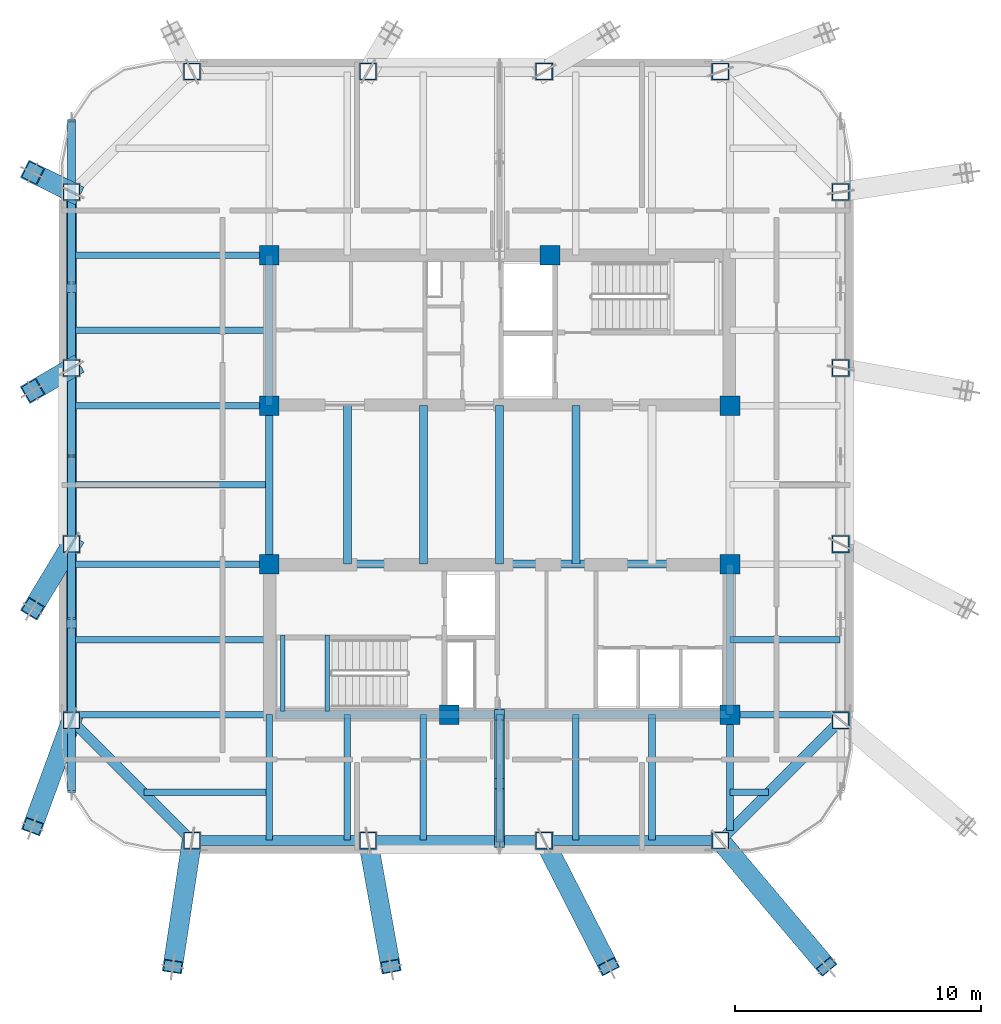
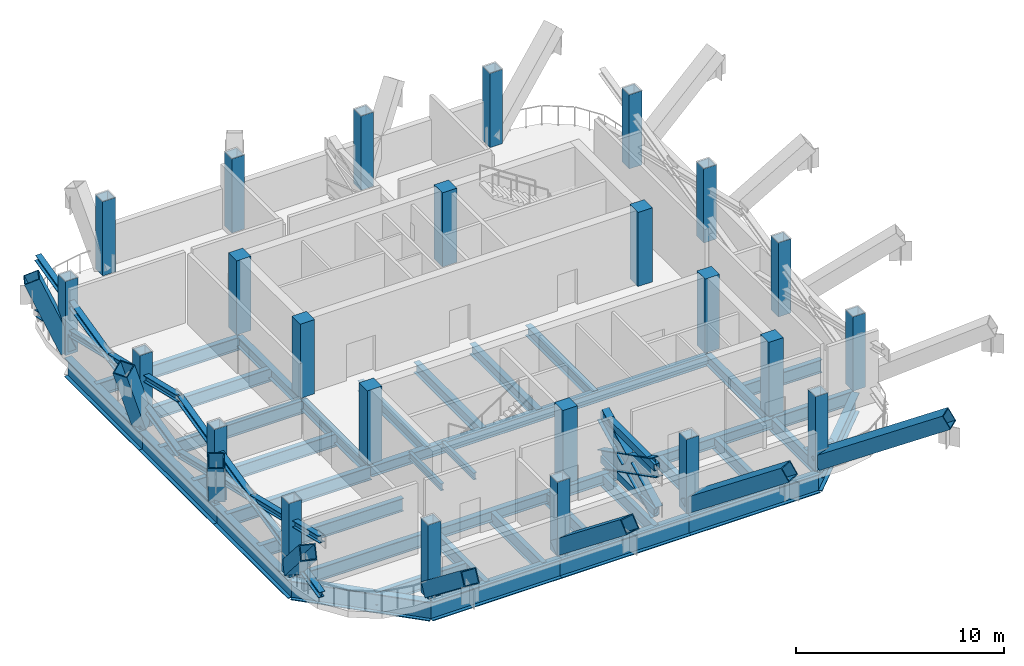
# One storey, part 1 of 9: 37 beams, 24 columns, 19 members.
"""IFC4 building model written with IfcOpenShell, lengths in metres."""

import ifcopenshell
import ifcopenshell.guid

model = None  # the IFC model being written
_history = None  # IfcOwnerHistory: only IFC2X3 demands one
_inside = {}  # id of a spatial element -> (the spatial element, [elements in it])
_under = {}  # id of a project, library or spatial element -> (it, [spatial elements below it])
_declared = {}  # id of a project -> (the project, [libraries it declares])
_typed = {}  # id of a type object -> (the type object, [elements of that type])
_made_of = {}  # id of a material, layer set ... -> (it, [elements and type objects made of it])


def new_model(schema):
    """Start an empty IFC model of exactly this schema.

    Asked for "IFC4X3", IfcOpenShell would pick the latest addendum, in which some entities
    have other attributes; the version numbers below select the first issue.
    IFC2X3 requires an IfcOwnerHistory on every rooted entity: one is made here for all.
    """
    global model, _history
    if schema == "IFC4X3":
        model = ifcopenshell.file(schema_version=(4, 3, 0, 0))
    else:
        model = ifcopenshell.file(schema=schema)
    _inside.clear()
    _under.clear()
    _declared.clear()
    _typed.clear()
    _made_of.clear()
    _history = None
    if model.schema == "IFC2X3":
        org = make("IfcOrganization", Name="unknown")
        user = make(
            "IfcPersonAndOrganization",
            ThePerson=make("IfcPerson", FamilyName="unknown"),
            TheOrganization=org,
        )
        app = make(
            "IfcApplication",
            ApplicationDeveloper=org,
            Version="unknown",
            ApplicationFullName="unknown",
            ApplicationIdentifier="unknown",
        )
        _history = make(
            "IfcOwnerHistory",
            OwningUser=user,
            OwningApplication=app,
            ChangeAction="ADDED",
            CreationDate=0,
        )
    return model


def make(cls, **values):
    """One entity of the class cls with the attributes given. An attribute that is None is left unset."""
    return model.create_entity(
        cls, **{name: value for name, value in values.items() if value is not None}
    )


def rooted(cls, **values):
    """An entity with a GlobalId (a new one), such as an element, a storey or a relation."""
    return make(cls, GlobalId=ifcopenshell.guid.new(), OwnerHistory=_history, **values)


def si_unit(unit_type, name, prefix=None):
    """IfcSIUnit, for example si_unit("LENGTHUNIT", "METRE", prefix="MILLI")."""
    return make("IfcSIUnit", UnitType=unit_type, Prefix=prefix, Name=name)


def assignment(units):
    """IfcUnitAssignment: the units of a project."""
    return None if units is None else make("IfcUnitAssignment", Units=units)


def point(xyz):
    """IfcCartesianPoint."""
    return None if xyz is None else make("IfcCartesianPoint", Coordinates=xyz)


def direction(xyz):
    """IfcDirection."""
    return None if xyz is None else make("IfcDirection", DirectionRatios=xyz)


def frame(location, z_axis=None, x_axis=None):
    """IfcAxis2Placement3D, a coordinate frame: its origin and axes. An axis left out is left unset."""
    return make(
        "IfcAxis2Placement3D",
        Location=point(location),
        Axis=direction(z_axis),
        RefDirection=direction(x_axis),
    )


def frame_2d(location, x_axis=None):
    """IfcAxis2Placement2D, a coordinate frame in the plane: its origin and x axis."""
    return make(
        "IfcAxis2Placement2D", Location=point(location), RefDirection=direction(x_axis)
    )


def origin():
    """The frame at (0, 0, 0) with its axes left unset."""
    return frame((0.0, 0.0, 0.0))


def origin_2d():
    """The frame at (0, 0) in the plane with its x axis left unset."""
    return frame_2d((0.0, 0.0))


def place(relative_to, where):
    """IfcLocalPlacement: puts the frame where relative to a parent placement (None: the world)."""
    return make(
        "IfcLocalPlacement", PlacementRelTo=relative_to, RelativePlacement=where
    )


def context(
    kind, dimensions, precision=None, world=None, true_north=None, identifier=None
):
    """IfcGeometricRepresentationContext, for example the 3D "Model" context."""
    return make(
        "IfcGeometricRepresentationContext",
        ContextIdentifier=identifier,
        ContextType=kind,
        CoordinateSpaceDimension=dimensions,
        Precision=precision,
        WorldCoordinateSystem=world,
        TrueNorth=true_north,
    )


def subcontext(parent, identifier, kind, view, scale=None):
    """IfcGeometricRepresentationSubContext, for example "Body" below "Model"."""
    return make(
        "IfcGeometricRepresentationSubContext",
        ContextIdentifier=identifier,
        ContextType=kind,
        ParentContext=parent,
        TargetScale=scale,
        TargetView=view,
    )


def project(units=None, contexts=None):
    """IfcProject with its units and contexts."""
    return rooted(
        "IfcProject",
        Name="project",
        RepresentationContexts=contexts,
        UnitsInContext=assignment(units),
    )


def spatial(cls, under=None, at=None, **own):
    """A site, building, storey or space (cls), placed at a placement, below another one or the project."""
    s = rooted(cls, ObjectPlacement=at, **own)
    if under is not None:
        _under.setdefault(under.id(), (under, []))[1].append(s)
    return s


def profile(cls, at=None, kind="AREA", **sizes):
    """A parametric profile (cls). Its sizes go by their IFC names, for example OverallWidth=200.0."""
    return make(cls, ProfileType=kind, Position=at, **sizes)


def rectangle(**sizes):
    """IfcRectangleProfileDef."""
    return profile("IfcRectangleProfileDef", **sizes)


def hollow_rectangle(**sizes):
    """IfcRectangleHollowProfileDef."""
    return profile("IfcRectangleHollowProfileDef", **sizes)


def i_section(**sizes):
    """IfcIShapeProfileDef."""
    return profile("IfcIShapeProfileDef", **sizes)


def extrude(swept, where, along, depth):
    """IfcExtrudedAreaSolid: the profile swept, set in the frame where, extruded along a direction by depth."""
    return make(
        "IfcExtrudedAreaSolid",
        SweptArea=swept,
        Position=where,
        ExtrudedDirection=direction(along),
        Depth=depth,
    )


def shape(context_of_items, identifier, shape_type, items):
    """IfcShapeRepresentation: the items that make up one representation, for example the "Body"."""
    return make(
        "IfcShapeRepresentation",
        ContextOfItems=context_of_items,
        RepresentationIdentifier=identifier,
        RepresentationType=shape_type,
        Items=items,
    )


def material(Name=None, Category=None):
    """IfcMaterial."""
    return make("IfcMaterial", Name=Name, Category=Category)


def material_profile(
    of_material, cross_section, Name=None, Category=None, Priority=None
):
    """IfcMaterialProfile: a cross section and its material."""
    return make(
        "IfcMaterialProfile",
        Name=Name,
        Material=of_material,
        Profile=cross_section,
        Priority=Priority,
        Category=Category,
    )


def profile_set(profiles, Name=None, composite=None):
    """IfcMaterialProfileSet."""
    return make(
        "IfcMaterialProfileSet",
        Name=Name,
        MaterialProfiles=profiles,
        CompositeProfile=composite,
    )


def made_of(thing, what):
    """Note that an element or type object is made of a material, layer set ...; save() writes the relation."""
    if what is not None:
        _made_of.setdefault(what.id(), (what, []))[1].append(thing)
    return thing


def type_object(cls, material=None, **own):
    """A type object (cls), such as IfcWallType, which elements share."""
    return made_of(rooted(cls, **own), material)


def element(
    cls,
    number,
    at=None,
    inside=None,
    cuts=None,
    type_object=None,
    material=None,
    context=None,
    identifier="Body",
    shape_type=None,
    held_by="IfcProductDefinitionShape",
    body=None,
    shapes=None,
    **own,
):
    """One element of the class cls, such as IfcWall. Its Tag is "e" and its number.

    at: its placement. inside: the storey or other place that contains it. cuts: it is an
    opening in that element (IfcRelVoidsElement). A single representation is given by context,
    identifier, shape_type and body (its items); several are given by shapes. held_by: the class
    of the entity that holds the representations. save() writes the other relations.
    """
    e = rooted(cls, Tag="e%d" % number, ObjectPlacement=at, **own)
    if body is not None:
        shapes = [shape(context, identifier, shape_type, body)]
    if shapes is not None:
        e.Representation = make(held_by, Representations=shapes)
    if inside is not None:
        _inside.setdefault(inside.id(), (inside, []))[1].append(e)
    if cuts is not None:
        rooted(
            "IfcRelVoidsElement", RelatingBuildingElement=cuts, RelatedOpeningElement=e
        )
    if type_object is not None:
        _typed.setdefault(type_object.id(), (type_object, []))[1].append(e)
    return made_of(e, material)


def aggregate(whole, parts):
    """IfcRelAggregates: a whole, such as a stair, and the parts it consists of."""
    return rooted("IfcRelAggregates", RelatingObject=whole, RelatedObjects=parts)


def save(model, path):
    """Write the relations noted so far, then the file.

    IfcRelAggregates (storeys below a building ...), IfcRelContainedInSpatialStructure (elements
    in a storey), IfcRelDefinesByType, IfcRelAssociatesMaterial and IfcRelDeclares: one each for
    every whole, place, type object, material and project.
    """
    for whole, parts in _under.values():
        aggregate(whole, parts)
    for where, things in _inside.values():
        rooted(
            "IfcRelContainedInSpatialStructure",
            RelatedElements=things,
            RelatingStructure=where,
        )
    for kind, things in _typed.values():
        rooted("IfcRelDefinesByType", RelatedObjects=things, RelatingType=kind)
    for what, things in _made_of.values():
        rooted("IfcRelAssociatesMaterial", RelatedObjects=things, RelatingMaterial=what)
    for by, libraries in _declared.values():
        rooted("IfcRelDeclares", RelatingContext=by, RelatedDefinitions=libraries)
    model.write(path)


model = new_model("IFC4")

# Units and contexts
model_context = context("Model", 3, precision=1e-05, world=origin(), true_north=direction((0.0, 1.0)))
body_context = subcontext(model_context, "Body", "Model", "MODEL_VIEW")
ifc_project = project(units=[si_unit("LENGTHUNIT", "METRE"), si_unit("AREAUNIT", "SQUARE_METRE"), si_unit("VOLUMEUNIT", "CUBIC_METRE"), si_unit("PLANEANGLEUNIT", "RADIAN"), si_unit("MASSUNIT", "GRAM", prefix="KILO")], contexts=[model_context])

# Site, building, storey
site_placement = place(None, origin())
site = spatial("IfcSite", under=ifc_project, at=site_placement, CompositionType="ELEMENT")
building_placement = place(site_placement, origin())
building = spatial("IfcBuilding", under=site, at=building_placement, Name="Qhalaya Broadcast Tower", CompositionType="ELEMENT")
storey_placement = place(building_placement, frame((0.0, 0.0, 195.14990234375)))
storey = spatial("IfcBuildingStorey", under=building, at=storey_placement, Name="L57", CompositionType="ELEMENT", Elevation=195.14990234375)

# Columns
ifc_material_1 = material(Name="Concrete C50/60", Category="concrete")
ifc_material_profile_1 = material_profile(ifc_material_1, rectangle(XDim=0.800048828125, YDim=0.800048828125, at=origin_2d()), Name="RC-COL 800x800")
ifc_profile_set_1 = profile_set([ifc_material_profile_1], Name="Concrete C50/60")
column_type_1 = type_object("IfcColumnType", Name="RC Upper Column C10", PredefinedType="COLUMN", material=ifc_profile_set_1)
for number, where, z_axis, x_axis, name in (
    (1, (-9.375, 9.949951171875, 0.0), (0.0, 0.0, 1.0), (1.0, 0.0, 0.0), "L57 Column COL-CC1"),
    (2, (2.050048828125, 9.949951171875, 0.0), (0.0, 0.0, 1.0), (1.0, 0.0, 0.0), "L57 Column COL-CC2"),
    (3, (-9.375, 3.824951171875, 0.0), (0.0, 0.0, 1.0), (1.0, 0.0, 0.0), "L57 Column COL-CC3"),
    (4, (9.375, 3.824951171875, 0.0), (0.0, 0.0, 1.0), (1.0, 0.0, 0.0), "L57 Column COL-CC4"),
    (5, (-9.375, -2.625, 0.0), (0.0, 0.0, 1.0), (1.0, 0.0, 0.0), "L57 Column COL-CC5"),
    (6, (9.375, -2.625, 0.0), (0.0, 0.0, 1.0), (1.0, 0.0, 0.0), "L57 Column COL-CC6"),
    (7, (-2.050048828125, -8.75, 0.0), (0.0, 0.0, 1.0), (1.0, 0.0, 0.0), "L57 Column COL-CC7"),
    (8, (9.375, -8.75, 0.0), (0.0, 0.0, 1.0), (1.0, 0.0, 0.0), "L57 Column COL-CC8"),
):
    element("IfcColumn", number, at=place(storey_placement, frame(where, z_axis=z_axis, x_axis=x_axis)), inside=storey, type_object=column_type_1, Name=name, PredefinedType="COLUMN", context=body_context, shape_type="SweptSolid", body=[
        extrude(rectangle(XDim=0.800048828125, YDim=0.800048828125, at=origin_2d()), origin(), (0.0, 0.0, 1.0), 4.35009765625),
    ])
ifc_material_2 = material(Name="Structural Steel ASTM A572 Grade 50", Category="steel")
ifc_material_profile_2 = material_profile(ifc_material_2, hollow_rectangle(XDim=0.699951171875, YDim=0.699951171875, WallThickness=0.044921875, at=origin_2d()), Name="BOX 700x700x45")
ifc_profile_set_2 = profile_set([ifc_material_profile_2], Name="Structural Steel ASTM A572 Grade 50")
column_type_2 = type_object("IfcColumnType", Name="Steel Box Column C04", PredefinedType="COLUMN", material=ifc_profile_set_2)
for number, where, z_axis, x_axis, name in (
    (9, (-12.52001953125, -13.8798828125, 0.0), (0.0, 0.0, 1.0), (1.0, 0.0, 0.0), "L57 Column COL-NK01"),
    (10, (-5.353271484375, -13.8798828125, 0.0), (0.0, 0.0, 1.0), (1.0, 0.0, 0.0), "L57 Column COL-NK02"),
    (11, (1.813232421875, -13.8798828125, 0.0), (0.0, 0.0, 1.0), (1.0, 0.0, 0.0), "L57 Column COL-NK03"),
    (12, (8.97998046875, -13.8798828125, 0.0), (0.0, 0.0, 1.0), (1.0, 0.0, 0.0), "L57 Column COL-NK04"),
    (13, (13.8798828125, -8.97998046875, 0.0), (0.0, 0.0, 1.0), (0.0, 1.0, 0.0), "L57 Column COL-NK05"),
    (14, (13.8798828125, -1.813232421875, 0.0), (0.0, 0.0, 1.0), (0.0, 1.0, 0.0), "L57 Column COL-NK06"),
    (15, (13.8798828125, 5.353271484375, 0.0), (0.0, 0.0, 1.0), (0.0, 1.0, 0.0), "L57 Column COL-NK07"),
    (16, (13.8798828125, 12.52001953125, 0.0), (0.0, 0.0, 1.0), (0.0, 1.0, 0.0), "L57 Column COL-NK08"),
    (17, (8.97998046875, 17.419921875, 0.0), (0.0, 0.0, 1.0), (1.0, 0.0, 0.0), "L57 Column COL-NK09"),
    (18, (1.813232421875, 17.419921875, 0.0), (0.0, 0.0, 1.0), (1.0, 0.0, 0.0), "L57 Column COL-NK10"),
    (19, (-5.353271484375, 17.419921875, 0.0), (0.0, 0.0, 1.0), (1.0, 0.0, 0.0), "L57 Column COL-NK11"),
    (20, (-12.52001953125, 17.419921875, 0.0), (0.0, 0.0, 1.0), (1.0, 0.0, 0.0), "L57 Column COL-NK12"),
    (21, (-17.419921875, 12.52001953125, 0.0), (0.0, 0.0, 1.0), (0.0, 1.0, 0.0), "L57 Column COL-NK13"),
    (22, (-17.419921875, 5.353271484375, 0.0), (0.0, 0.0, 1.0), (0.0, 1.0, 0.0), "L57 Column COL-NK14"),
    (23, (-17.419921875, -1.813232421875, 0.0), (0.0, 0.0, 1.0), (0.0, 1.0, 0.0), "L57 Column COL-NK15"),
    (24, (-17.419921875, -8.97998046875, 0.0), (0.0, 0.0, 1.0), (0.0, 1.0, 0.0), "L57 Column COL-NK16"),
):
    element("IfcColumn", number, at=place(storey_placement, frame(where, z_axis=z_axis, x_axis=x_axis)), inside=storey, type_object=column_type_2, Name=name, PredefinedType="COLUMN", context=body_context, shape_type="SweptSolid", body=[
        extrude(hollow_rectangle(XDim=0.699951171875, YDim=0.699951171875, WallThickness=0.044921875, at=origin_2d()), origin(), (0.0, 0.0, 1.0), 4.35009765625),
    ])

# Members
ifc_material_profile_3 = material_profile(ifc_material_2, i_section(OverallWidth=0.31298828125, OverallDepth=0.3798828125, WebThickness=0.01806640625, FlangeThickness=0.028076171875, at=origin_2d()), Name="W12X120")
ifc_profile_set_3 = profile_set([ifc_material_profile_3], Name="Structural Steel ASTM A572 Grade 50")
member_type_1 = type_object("IfcMemberType", Name="Belt-Truss Diagonal Brace OB2", PredefinedType="BRACE", material=ifc_profile_set_3)
member_1_placement = place(storey_placement, frame((-17.419921875, -11.8798828125, 0.4501953125), z_axis=(0.0, 0.972644892712, 0.232297035457), x_axis=(-1.0, 0.0, 0.0)))
element("IfcMember", 25, at=member_1_placement, inside=storey, type_object=member_type_1, Name="L57 Belt Truss Continuous Brace W1A", PredefinedType="BRACE", context=body_context, shape_type="SweptSolid", body=[
    extrude(i_section(OverallWidth=0.31298828125, OverallDepth=0.3798828125, WebThickness=0.01806640625, FlangeThickness=0.028076171875, at=origin_2d()), origin(), (0.0, 0.0, 1.0), 14.03369140625),
])
member_2_placement = place(storey_placement, frame((-17.419921875, -11.8798828125, 3.710205078125), z_axis=(0.0, 0.972637148541, -0.232329458482), x_axis=(-1.0, 0.0, 0.0)))
element("IfcMember", 26, at=member_2_placement, inside=storey, type_object=member_type_1, Name="L57 Belt Truss Split Brace W1B1", PredefinedType="BRACE", context=body_context, shape_type="SweptSolid", body=[
    extrude(i_section(OverallWidth=0.31298828125, OverallDepth=0.3798828125, WebThickness=0.01806640625, FlangeThickness=0.028076171875, at=origin_2d()), origin(), (0.0, 0.0, 1.0), 6.796875),
])
member_3_placement = place(storey_placement, frame((-17.419921875, -4.841064453125, 2.029052734375), z_axis=(0.0, 0.972647203091, -0.232287361512), x_axis=(-1.0, 0.0, 0.0)))
element("IfcMember", 27, at=member_3_placement, inside=storey, type_object=member_type_1, Name="L57 Belt Truss Split Brace W1B2", PredefinedType="BRACE", context=body_context, shape_type="SweptSolid", body=[
    extrude(i_section(OverallWidth=0.31298828125, OverallDepth=0.3798828125, WebThickness=0.01806640625, FlangeThickness=0.028076171875, at=origin_2d()), origin(), (0.0, 0.0, 1.0), 6.797119140625),
])
member_4_placement = place(storey_placement, frame((-17.419921875, 1.77001953125, 0.4501953125), z_axis=(0.0, 0.972644892712, 0.232297035457), x_axis=(-1.0, 0.0, 0.0)))
element("IfcMember", 28, at=member_4_placement, inside=storey, type_object=member_type_1, Name="L57 Belt Truss Continuous Brace W2A", PredefinedType="BRACE", context=body_context, shape_type="SweptSolid", body=[
    extrude(i_section(OverallWidth=0.31298828125, OverallDepth=0.3798828125, WebThickness=0.01806640625, FlangeThickness=0.028076171875, at=origin_2d()), origin(), (0.0, 0.0, 1.0), 14.03369140625),
])
member_5_placement = place(storey_placement, frame((-17.419921875, 1.77001953125, 3.710205078125), z_axis=(0.0, 0.972639087283, -0.232321341872), x_axis=(-1.0, 0.0, 0.0)))
element("IfcMember", 29, at=member_5_placement, inside=storey, type_object=member_type_1, Name="L57 Belt Truss Split Brace W2B1", PredefinedType="BRACE", context=body_context, shape_type="SweptSolid", body=[
    extrude(i_section(OverallWidth=0.31298828125, OverallDepth=0.3798828125, WebThickness=0.01806640625, FlangeThickness=0.028076171875, at=origin_2d()), origin(), (0.0, 0.0, 1.0), 6.797119140625),
])
member_6_placement = place(storey_placement, frame((-17.419921875, 8.80908203125, 2.029052734375), z_axis=(0.0, 0.9726452649, -0.23229547707), x_axis=(-1.0, 0.0, 0.0)))
element("IfcMember", 30, at=member_6_placement, inside=storey, type_object=member_type_1, Name="L57 Belt Truss Split Brace W2B2", PredefinedType="BRACE", context=body_context, shape_type="SweptSolid", body=[
    extrude(i_section(OverallWidth=0.31298828125, OverallDepth=0.3798828125, WebThickness=0.01806640625, FlangeThickness=0.028076171875, at=origin_2d()), origin(), (0.0, 0.0, 1.0), 6.796875),
])

# Beams
ifc_material_3 = material(Name="Structural Steel ASTM A992 Grade 50", Category="steel")
ifc_material_profile_4 = material_profile(ifc_material_3, i_section(OverallWidth=0.323974609375, OverallDepth=0.612060546875, WebThickness=0.0126953125, FlangeThickness=0.01904296875, at=origin_2d()), Name="W24X104")
ifc_profile_set_4 = profile_set([ifc_material_profile_4], Name="Structural Steel ASTM A992 Grade 50")
beam_type_1 = type_object("IfcBeamType", Name="Core Frame Tie Beam B04", PredefinedType="BEAM", material=ifc_profile_set_4)
beam_1_placement = place(storey_placement, frame((-9.375, 3.824951171875, -0.685791015625), z_axis=(0.0, 1.0, 0.0), x_axis=(-1.0, 0.0, 0.0)))
element("IfcBeam", 31, at=beam_1_placement, inside=storey, type_object=beam_type_1, Name="L57 B04 L57-CCN2", PredefinedType="BEAM", context=body_context, shape_type="SweptSolid", body=[
    extrude(i_section(OverallWidth=0.323974609375, OverallDepth=0.612060546875, WebThickness=0.0126953125, FlangeThickness=0.01904296875, at=origin_2d()), origin(), (0.0, 0.0, 1.0), 6.125),
])
beam_2_placement = place(storey_placement, frame((-9.375, -2.625, -0.685791015625), z_axis=(1.0, 0.0, 0.0), x_axis=(0.0, 1.0, 0.0)))
element("IfcBeam", 32, at=beam_2_placement, inside=storey, type_object=beam_type_1, Name="L57 B04 L57-CCS1", PredefinedType="BEAM", context=body_context, shape_type="SweptSolid", body=[
    extrude(i_section(OverallWidth=0.323974609375, OverallDepth=0.612060546875, WebThickness=0.0126953125, FlangeThickness=0.01904296875, at=origin_2d()), origin(), (0.0, 0.0, 1.0), 18.75),
])
beam_3_placement = place(storey_placement, frame((9.375, -8.75, -0.685791015625), z_axis=(0.0, 1.0, 0.0), x_axis=(-1.0, 0.0, 0.0)))
element("IfcBeam", 33, at=beam_3_placement, inside=storey, type_object=beam_type_1, Name="L57 B04 L57-CCS2", PredefinedType="BEAM", context=body_context, shape_type="SweptSolid", body=[
    extrude(i_section(OverallWidth=0.323974609375, OverallDepth=0.612060546875, WebThickness=0.0126953125, FlangeThickness=0.01904296875, at=origin_2d()), origin(), (0.0, 0.0, 1.0), 6.125),
])
beam_4_placement = place(storey_placement, frame((-9.1201171875, -8.75, -0.685791015625), z_axis=(1.0, 0.0, 0.0), x_axis=(0.0, 1.0, 0.0)))
element("IfcBeam", 34, at=beam_4_placement, inside=storey, type_object=beam_type_1, Name="L57 B04 L57-CCS3", PredefinedType="BEAM", context=body_context, shape_type="SweptSolid", body=[
    extrude(i_section(OverallWidth=0.323974609375, OverallDepth=0.612060546875, WebThickness=0.0126953125, FlangeThickness=0.01904296875, at=origin_2d()), origin(), (0.0, 0.0, 1.0), 18.4951171875),
])
for number, where, z_axis, x_axis, name in (
    (35, (-9.375, -2.625, -0.685791015625), (0.0, 1.0, 0.0), (-1.0, 0.0, 0.0), "L57 B04 L57-CCW"),
    (36, (-6.199951171875, -2.625, -0.685791015625), (0.0, 1.0, 0.0), (-1.0, 0.0, 0.0), "L57 B04 L57-JC1-1"),
    (37, (-3.10009765625, -2.625, -0.685791015625), (0.0, 1.0, 0.0), (-1.0, 0.0, 0.0), "L57 B04 L57-JC2-1"),
    (38, (0.0, -2.625, -0.685791015625), (0.0, 1.0, 0.0), (-1.0, 0.0, 0.0), "L57 B04 L57-JC3-1"),
    (39, (3.10009765625, -2.625, -0.685791015625), (0.0, 1.0, 0.0), (-1.0, 0.0, 0.0), "L57 B04 L57-JC4-1"),
):
    element("IfcBeam", number, at=place(storey_placement, frame(where, z_axis=z_axis, x_axis=x_axis)), inside=storey, type_object=beam_type_1, Name=name, PredefinedType="BEAM", context=body_context, shape_type="SweptSolid", body=[
        extrude(i_section(OverallWidth=0.323974609375, OverallDepth=0.612060546875, WebThickness=0.0126953125, FlangeThickness=0.01904296875, at=origin_2d()), origin(), (0.0, 0.0, 1.0), 6.449951171875),
    ])

# Members
ifc_material_profile_5 = material_profile(ifc_material_2, i_section(OverallWidth=0.40087890625, OverallDepth=1.0009765625, WebThickness=0.01904296875, FlangeThickness=0.0361328125, at=origin_2d()), Name="W40X249")
ifc_profile_set_5 = profile_set([ifc_material_profile_5], Name="Structural Steel ASTM A572 Grade 50")
member_type_2 = type_object("IfcMemberType", Name="Core-to-Perimeter Outrigger Brace OB1", PredefinedType="BRACE", material=ifc_profile_set_5)
member_7_placement = place(storey_placement, frame((0.0, -8.75, 0.4501953125), z_axis=(0.0, -0.891661810569, 0.452702126759), x_axis=(1.0, 0.0, 0.0)))
element("IfcMember", 40, at=member_7_placement, inside=storey, type_object=member_type_2, Name="L57 Outrigger Continuous Diagonal SCA", PredefinedType="BRACE", context=body_context, shape_type="SweptSolid", body=[
    extrude(i_section(OverallWidth=0.40087890625, OverallDepth=1.0009765625, WebThickness=0.01904296875, FlangeThickness=0.0361328125, at=origin_2d()), origin(), (0.0, 0.0, 1.0), 5.809326171875),
])
for number, where, z_axis, x_axis, name in (
    (41, (0.0, -8.75, 3.080078125), (0.0, -0.891661648459, -0.452702446058), (1.0, 0.0, 0.0), "L57 Outrigger Split Diagonal SCB1"),
    (42, (0.0, -11.553955078125, 1.656494140625), (0.0, -0.891661648459, -0.452702446058), (1.0, 0.0, 0.0), "L57 Outrigger Split Diagonal SCB2"),
):
    element("IfcMember", number, at=place(storey_placement, frame(where, z_axis=z_axis, x_axis=x_axis)), inside=storey, type_object=member_type_2, Name=name, PredefinedType="BRACE", context=body_context, shape_type="SweptSolid", body=[
        extrude(i_section(OverallWidth=0.40087890625, OverallDepth=1.0009765625, WebThickness=0.01904296875, FlangeThickness=0.0361328125, at=origin_2d()), origin(), (0.0, 0.0, 1.0), 2.66455078125),
    ])

# Beams
ifc_material_profile_6 = material_profile(ifc_material_3, i_section(OverallWidth=0.26708984375, OverallDepth=0.780029296875, WebThickness=0.0166015625, FlangeThickness=0.030029296875, at=origin_2d()), Name="W30X148")
ifc_profile_set_6 = profile_set([ifc_material_profile_6], Name="Structural Steel ASTM A992 Grade 50")
beam_type_2 = type_object("IfcBeamType", Name="Neck & Crown Primary Girder PG5", PredefinedType="USERDEFINED", material=ifc_profile_set_6)
beam_5_placement = place(storey_placement, frame((-9.375, -13.860107421875, -0.77001953125), z_axis=(0.0, 1.0, 0.0), x_axis=(-1.0, 0.0, 0.0)))
element("IfcBeam", 43, at=beam_5_placement, inside=storey, type_object=beam_type_2, Name="L57 PG5 L57-PGXS1-1", ObjectType="GIRDER", PredefinedType="USERDEFINED", context=body_context, shape_type="SweptSolid", body=[
    extrude(i_section(OverallWidth=0.26708984375, OverallDepth=0.780029296875, WebThickness=0.0166015625, FlangeThickness=0.030029296875, at=origin_2d()), origin(), (0.0, 0.0, 1.0), 5.110107421875),
])
beam_6_placement = place(storey_placement, frame((9.375, -13.456787109375, -0.77001953125), z_axis=(0.0, 1.0, 0.0), x_axis=(-1.0, 0.0, 0.0)))
element("IfcBeam", 44, at=beam_6_placement, inside=storey, type_object=beam_type_2, Name="L57 PG5 L57-PGXS2-1", ObjectType="GIRDER", PredefinedType="USERDEFINED", context=body_context, shape_type="SweptSolid", body=[
    extrude(i_section(OverallWidth=0.26708984375, OverallDepth=0.780029296875, WebThickness=0.0166015625, FlangeThickness=0.030029296875, at=origin_2d()), origin(), (0.0, 0.0, 1.0), 4.706787109375),
])
beam_7_placement = place(storey_placement, frame((-17.39990234375, -8.75, -0.77001953125), z_axis=(1.0, 0.0, 0.0), x_axis=(0.0, 1.0, 0.0)))
element("IfcBeam", 45, at=beam_7_placement, inside=storey, type_object=beam_type_2, Name="L57 PG5 L57-PGYW1-1", ObjectType="GIRDER", PredefinedType="USERDEFINED", context=body_context, shape_type="SweptSolid", body=[
    extrude(i_section(OverallWidth=0.26708984375, OverallDepth=0.780029296875, WebThickness=0.0166015625, FlangeThickness=0.030029296875, at=origin_2d()), origin(), (0.0, 0.0, 1.0), 8.02490234375),
])
beam_8_placement = place(storey_placement, frame((9.375, -8.75, -0.77001953125), z_axis=(1.0, 0.0, 0.0), x_axis=(0.0, 1.0, 0.0)))
element("IfcBeam", 46, at=beam_8_placement, inside=storey, type_object=beam_type_2, Name="L57 PG5 L57-PGYE1-1", ObjectType="GIRDER", PredefinedType="USERDEFINED", context=body_context, shape_type="SweptSolid", body=[
    extrude(i_section(OverallWidth=0.26708984375, OverallDepth=0.780029296875, WebThickness=0.0166015625, FlangeThickness=0.030029296875, at=origin_2d()), origin(), (0.0, 0.0, 1.0), 4.485107421875),
])
for number, where, z_axis, x_axis, name in (
    (47, (-17.39990234375, -2.625, -0.77001953125), (1.0, 0.0, 0.0), (0.0, 1.0, 0.0), "L57 PG5 L57-PGYW2-1"),
    (48, (-17.39990234375, 3.824951171875, -0.77001953125), (1.0, 0.0, 0.0), (0.0, 1.0, 0.0), "L57 PG5 L57-PGYW3-1"),
    (49, (-17.39990234375, 9.949951171875, -0.77001953125), (1.0, 0.0, 0.0), (0.0, 1.0, 0.0), "L57 PG5 L57-PGYW4-1"),
):
    element("IfcBeam", number, at=place(storey_placement, frame(where, z_axis=z_axis, x_axis=x_axis)), inside=storey, type_object=beam_type_2, Name=name, ObjectType="GIRDER", PredefinedType="USERDEFINED", context=body_context, shape_type="SweptSolid", body=[
        extrude(i_section(OverallWidth=0.26708984375, OverallDepth=0.780029296875, WebThickness=0.0166015625, FlangeThickness=0.030029296875, at=origin_2d()), origin(), (0.0, 0.0, 1.0), 8.02490234375),
    ])

# Members
ifc_material_profile_7 = material_profile(ifc_material_2, hollow_rectangle(XDim=0.300048828125, YDim=0.39990234375, WallThickness=0.02001953125, at=origin_2d()), Name="HSS 300x400x20")
ifc_profile_set_7 = profile_set([ifc_material_profile_7], Name="Structural Steel ASTM A572 Grade 50")
member_type_3 = type_object("IfcMemberType", Name="Outrigger & Belt-Truss Chord CH1", PredefinedType="CHORD", material=ifc_profile_set_7)
for number, where, z_axis, x_axis, name in (
    (50, (0.0, -8.75, 0.4501953125), (0.0, -1.0, 0.0), (1.0, 0.0, 0.0), "L57 Outrigger Bottom Chord SC"),
    (51, (0.0, -8.75, 3.080078125), (0.0, -1.0, 0.0), (1.0, 0.0, 0.0), "L57 Outrigger Top Chord SC"),
):
    element("IfcMember", number, at=place(storey_placement, frame(where, z_axis=z_axis, x_axis=x_axis)), inside=storey, type_object=member_type_3, Name=name, PredefinedType="CHORD", context=body_context, shape_type="SweptSolid", body=[
        extrude(hollow_rectangle(XDim=0.300048828125, YDim=0.39990234375, WallThickness=0.02001953125, at=origin_2d()), origin(), (0.0, 0.0, 1.0), 5.179931640625),
    ])

# Beams
ifc_material_profile_8 = material_profile(ifc_material_3, i_section(OverallWidth=0.26708984375, OverallDepth=0.761962890625, WebThickness=0.014404296875, FlangeThickness=0.021484375, at=origin_2d()), Name="W30X116")
ifc_profile_set_8 = profile_set([ifc_material_profile_8], Name="Structural Steel ASTM A992 Grade 50")
beam_type_3 = type_object("IfcBeamType", Name="Plant & Server Floor Beam B02", PredefinedType="BEAM", material=ifc_profile_set_8)
for number, where, z_axis, x_axis, name in (
    (52, (-6.199951171875, -13.860107421875, -0.760986328125), (0.0, 1.0, 0.0), (-1.0, 0.0, 0.0), "L57 B02 L57-JNS1-1"),
    (53, (-3.10009765625, -13.860107421875, -0.760986328125), (0.0, 1.0, 0.0), (-1.0, 0.0, 0.0), "L57 B02 L57-JNS2-1"),
    (54, (0.0, -13.860107421875, -0.760986328125), (0.0, 1.0, 0.0), (-1.0, 0.0, 0.0), "L57 B02 L57-JNS3-1"),
    (55, (3.10009765625, -13.860107421875, -0.760986328125), (0.0, 1.0, 0.0), (-1.0, 0.0, 0.0), "L57 B02 L57-JNS4-1"),
    (56, (6.199951171875, -13.860107421875, -0.760986328125), (0.0, 1.0, 0.0), (-1.0, 0.0, 0.0), "L57 B02 L57-JNS5-1"),
):
    element("IfcBeam", number, at=place(storey_placement, frame(where, z_axis=z_axis, x_axis=x_axis)), inside=storey, type_object=beam_type_3, Name=name, PredefinedType="BEAM", context=body_context, shape_type="SweptSolid", body=[
        extrude(i_section(OverallWidth=0.26708984375, OverallDepth=0.761962890625, WebThickness=0.014404296875, FlangeThickness=0.021484375, at=origin_2d()), origin(), (0.0, 0.0, 1.0), 5.110107421875),
    ])
beam_9_placement = place(storey_placement, frame((-14.4716796875, -11.89990234375, -0.760986328125), z_axis=(1.0, 0.0, 0.0), x_axis=(0.0, 1.0, 0.0)))
element("IfcBeam", 57, at=beam_9_placement, inside=storey, type_object=beam_type_3, Name="L57 B02 L57-JWE2W-1", PredefinedType="BEAM", context=body_context, shape_type="SweptSolid", body=[
    extrude(i_section(OverallWidth=0.26708984375, OverallDepth=0.761962890625, WebThickness=0.014404296875, FlangeThickness=0.021484375, at=origin_2d()), origin(), (0.0, 0.0, 1.0), 5.0966796875),
])
beam_10_placement = place(storey_placement, frame((9.375, -11.89990234375, -0.760986328125), z_axis=(1.0, 0.0, 0.0), x_axis=(0.0, 1.0, 0.0)))
element("IfcBeam", 58, at=beam_10_placement, inside=storey, type_object=beam_type_3, Name="L57 B02 L57-JWE2E-1", PredefinedType="BEAM", context=body_context, shape_type="SweptSolid", body=[
    extrude(i_section(OverallWidth=0.26708984375, OverallDepth=0.761962890625, WebThickness=0.014404296875, FlangeThickness=0.021484375, at=origin_2d()), origin(), (0.0, 0.0, 1.0), 1.556640625),
])
beam_11_placement = place(storey_placement, frame((-17.39990234375, -5.699951171875, -0.760986328125), z_axis=(1.0, 0.0, 0.0), x_axis=(0.0, 1.0, 0.0)))
element("IfcBeam", 59, at=beam_11_placement, inside=storey, type_object=beam_type_3, Name="L57 B02 L57-JWE3W-1", PredefinedType="BEAM", context=body_context, shape_type="SweptSolid", body=[
    extrude(i_section(OverallWidth=0.26708984375, OverallDepth=0.761962890625, WebThickness=0.014404296875, FlangeThickness=0.021484375, at=origin_2d()), origin(), (0.0, 0.0, 1.0), 8.02490234375),
])
beam_12_placement = place(storey_placement, frame((9.375, -5.699951171875, -0.760986328125), z_axis=(1.0, 0.0, 0.0), x_axis=(0.0, 1.0, 0.0)))
element("IfcBeam", 60, at=beam_12_placement, inside=storey, type_object=beam_type_3, Name="L57 B02 L57-JWE3E-1", PredefinedType="BEAM", context=body_context, shape_type="SweptSolid", body=[
    extrude(i_section(OverallWidth=0.26708984375, OverallDepth=0.761962890625, WebThickness=0.014404296875, FlangeThickness=0.021484375, at=origin_2d()), origin(), (0.0, 0.0, 1.0), 4.485107421875),
])
for number, where, z_axis, x_axis, name in (
    (61, (-17.39990234375, 0.60009765625, -0.760986328125), (1.0, 0.0, 0.0), (0.0, 1.0, 0.0), "L57 B02 L57-JWE4W-1"),
    (62, (-17.39990234375, 6.89990234375, -0.760986328125), (1.0, 0.0, 0.0), (0.0, 1.0, 0.0), "L57 B02 L57-JWE5W-1"),
):
    element("IfcBeam", number, at=place(storey_placement, frame(where, z_axis=z_axis, x_axis=x_axis)), inside=storey, type_object=beam_type_3, Name=name, PredefinedType="BEAM", context=body_context, shape_type="SweptSolid", body=[
        extrude(i_section(OverallWidth=0.26708984375, OverallDepth=0.761962890625, WebThickness=0.014404296875, FlangeThickness=0.021484375, at=origin_2d()), origin(), (0.0, 0.0, 1.0), 8.02490234375),
    ])
ifc_material_profile_9 = material_profile(ifc_material_3, i_section(OverallWidth=0.404052734375, OverallDepth=1.117919921875, WebThickness=0.026123046875, FlangeThickness=0.044921875, at=origin_2d()), Name="W44X335")
ifc_profile_set_9 = profile_set([ifc_material_profile_9], Name="Structural Steel ASTM A992 Grade 50")
beam_type_4 = type_object("IfcBeamType", Name="Podium Long-Span Primary Girder PG1", PredefinedType="USERDEFINED", material=ifc_profile_set_9)
beam_13_placement = place(storey_placement, frame((-12.52001953125, -13.8798828125, -0.93896484375), z_axis=(1.0, 0.0, 0.0), x_axis=(0.0, 1.0, 0.0)))
element("IfcBeam", 63, at=beam_13_placement, inside=storey, type_object=beam_type_4, Name="L57 PG1 L57-SPR-01", ObjectType="GIRDER", PredefinedType="USERDEFINED", context=body_context, shape_type="SweptSolid", body=[
    extrude(i_section(OverallWidth=0.404052734375, OverallDepth=1.117919921875, WebThickness=0.026123046875, FlangeThickness=0.044921875, at=origin_2d()), origin(), (0.0, 0.0, 1.0), 7.166748046875),
])
beam_14_placement = place(storey_placement, frame((-5.353271484375, -13.8798828125, -0.93896484375), z_axis=(1.0, 0.0, 0.0), x_axis=(0.0, 1.0, 0.0)))
element("IfcBeam", 64, at=beam_14_placement, inside=storey, type_object=beam_type_4, Name="L57 PG1 L57-SPR-02", ObjectType="GIRDER", PredefinedType="USERDEFINED", context=body_context, shape_type="SweptSolid", body=[
    extrude(i_section(OverallWidth=0.404052734375, OverallDepth=1.117919921875, WebThickness=0.026123046875, FlangeThickness=0.044921875, at=origin_2d()), origin(), (0.0, 0.0, 1.0), 7.16650390625),
])
beam_15_placement = place(storey_placement, frame((1.813232421875, -13.8798828125, -0.93896484375), z_axis=(1.0, 0.0, 0.0), x_axis=(0.0, 1.0, 0.0)))
element("IfcBeam", 65, at=beam_15_placement, inside=storey, type_object=beam_type_4, Name="L57 PG1 L57-SPR-03", ObjectType="GIRDER", PredefinedType="USERDEFINED", context=body_context, shape_type="SweptSolid", body=[
    extrude(i_section(OverallWidth=0.404052734375, OverallDepth=1.117919921875, WebThickness=0.026123046875, FlangeThickness=0.044921875, at=origin_2d()), origin(), (0.0, 0.0, 1.0), 7.166748046875),
])
beam_16_placement = place(storey_placement, frame((8.97998046875, -13.8798828125, -0.93896484375), z_axis=(0.707106781187, 0.707106781187, 0.0), x_axis=(-0.707106781187, 0.707106781187, 0.0)))
element("IfcBeam", 66, at=beam_16_placement, inside=storey, type_object=beam_type_4, Name="L57 PG1 L57-SPR-04", ObjectType="GIRDER", PredefinedType="USERDEFINED", context=body_context, shape_type="SweptSolid", body=[
    extrude(i_section(OverallWidth=0.404052734375, OverallDepth=1.117919921875, WebThickness=0.026123046875, FlangeThickness=0.044921875, at=origin_2d()), origin(), (0.0, 0.0, 1.0), 6.929443359375),
])
beam_17_placement = place(storey_placement, frame((-17.419921875, 12.52001953125, -0.93896484375), z_axis=(0.0, -1.0, 0.0), x_axis=(1.0, 0.0, 0.0)))
element("IfcBeam", 67, at=beam_17_placement, inside=storey, type_object=beam_type_4, Name="L57 PG1 L57-SPR-13", ObjectType="GIRDER", PredefinedType="USERDEFINED", context=body_context, shape_type="SweptSolid", body=[
    extrude(i_section(OverallWidth=0.404052734375, OverallDepth=1.117919921875, WebThickness=0.026123046875, FlangeThickness=0.044921875, at=origin_2d()), origin(), (0.0, 0.0, 1.0), 7.166748046875),
])
beam_18_placement = place(storey_placement, frame((-17.419921875, 5.353271484375, -0.93896484375), z_axis=(0.0, -1.0, 0.0), x_axis=(1.0, 0.0, 0.0)))
element("IfcBeam", 68, at=beam_18_placement, inside=storey, type_object=beam_type_4, Name="L57 PG1 L57-SPR-14", ObjectType="GIRDER", PredefinedType="USERDEFINED", context=body_context, shape_type="SweptSolid", body=[
    extrude(i_section(OverallWidth=0.404052734375, OverallDepth=1.117919921875, WebThickness=0.026123046875, FlangeThickness=0.044921875, at=origin_2d()), origin(), (0.0, 0.0, 1.0), 7.16650390625),
])
beam_19_placement = place(storey_placement, frame((-17.419921875, -1.813232421875, -0.93896484375), z_axis=(0.0, -1.0, 0.0), x_axis=(1.0, 0.0, 0.0)))
element("IfcBeam", 69, at=beam_19_placement, inside=storey, type_object=beam_type_4, Name="L57 PG1 L57-SPR-15", ObjectType="GIRDER", PredefinedType="USERDEFINED", context=body_context, shape_type="SweptSolid", body=[
    extrude(i_section(OverallWidth=0.404052734375, OverallDepth=1.117919921875, WebThickness=0.026123046875, FlangeThickness=0.044921875, at=origin_2d()), origin(), (0.0, 0.0, 1.0), 7.166748046875),
])
beam_20_placement = place(storey_placement, frame((-17.419921875, -8.97998046875, -0.93896484375), z_axis=(0.707106781187, -0.707106781187, 0.0), x_axis=(0.707106781187, 0.707106781187, 0.0)))
element("IfcBeam", 70, at=beam_20_placement, inside=storey, type_object=beam_type_4, Name="L57 PG1 L57-SPR-16", ObjectType="GIRDER", PredefinedType="USERDEFINED", context=body_context, shape_type="SweptSolid", body=[
    extrude(i_section(OverallWidth=0.404052734375, OverallDepth=1.117919921875, WebThickness=0.026123046875, FlangeThickness=0.044921875, at=origin_2d()), origin(), (0.0, 0.0, 1.0), 6.929443359375),
])

# Members
ifc_material_profile_10 = material_profile(ifc_material_2, hollow_rectangle(XDim=0.800048828125, YDim=0.800048828125, WallThickness=0.050048828125, at=origin_2d()), Name="BOX 800x800x50")
ifc_profile_set_10 = profile_set([ifc_material_profile_10], Name="Structural Steel ASTM A572 Grade 50")
member_type_4 = type_object("IfcMemberType", Name="Upper Exoskeleton Transfer Strut RK2", PredefinedType="BRACE", material=ifc_profile_set_10)
member_8_placement = place(storey_placement, frame((-12.52001953125, -13.8798828125, 0.325927734375), z_axis=(-0.118928478013, -0.780647274143, 0.613551831952), x_axis=(0.988593523032, -0.150608254153, 0.0)))
element("IfcMember", 71, at=member_8_placement, inside=storey, type_object=member_type_4, Name="L57 Inclined Exoskeleton Transfer Strut 01", PredefinedType="BRACE", context=body_context, shape_type="SweptSolid", body=[
    extrude(hollow_rectangle(XDim=0.800048828125, YDim=0.800048828125, WallThickness=0.050048828125, at=origin_2d()), origin(), (0.0, 0.0, 1.0), 6.558837890625),
])
member_9_placement = place(storey_placement, frame((-5.353271484375, -13.8798828125, 0.326416015625), z_axis=(0.139877705785, -0.778533770099, 0.611816472678), x_axis=(0.984240223286, 0.176836599339, 0.0)))
element("IfcMember", 72, at=member_9_placement, inside=storey, type_object=member_type_4, Name="L57 Inclined Exoskeleton Transfer Strut 02", PredefinedType="BRACE", context=body_context, shape_type="SweptSolid", body=[
    extrude(hollow_rectangle(XDim=0.800048828125, YDim=0.800048828125, WallThickness=0.050048828125, at=origin_2d()), origin(), (0.0, 0.0, 1.0), 6.57666015625),
])
member_10_placement = place(storey_placement, frame((1.813232421875, -13.8798828125, 0.338134765625), z_axis=(0.373630295437, -0.730131807297, 0.572108334413), x_axis=(0.890211334535, 0.455547780003, 0.0)))
element("IfcMember", 73, at=member_10_placement, inside=storey, type_object=member_type_4, Name="L57 Inclined Exoskeleton Transfer Strut 03", PredefinedType="BRACE", context=body_context, shape_type="SweptSolid", body=[
    extrude(hollow_rectangle(XDim=0.800048828125, YDim=0.800048828125, WallThickness=0.050048828125, at=origin_2d()), origin(), (0.0, 0.0, 1.0), 7.0126953125),
])
member_11_placement = place(storey_placement, frame((8.97998046875, -13.8798828125, 0.353515625), z_axis=(0.553803678944, -0.656364552405, 0.51233490954), x_axis=(0.764293728741, 0.644868278184, 0.0)))
element("IfcMember", 74, at=member_11_placement, inside=storey, type_object=member_type_4, Name="L57 Inclined Exoskeleton Transfer Strut 04", PredefinedType="BRACE", context=body_context, shape_type="SweptSolid", body=[
    extrude(hollow_rectangle(XDim=0.800048828125, YDim=0.800048828125, WallThickness=0.050048828125, at=origin_2d()), origin(), (0.0, 0.0, 1.0), 7.80078125),
])
member_12_placement = place(storey_placement, frame((-17.419921875, 12.52001953125, 0.165283203125), z_axis=(-0.347982795207, 0.171786933048, 0.921627486501), x_axis=(-0.442663422465, -0.896687846696, 0.0)))
element("IfcMember", 75, at=member_12_placement, inside=storey, type_object=member_type_4, Name="L57 Inclined Exoskeleton Transfer Strut 13", PredefinedType="BRACE", context=body_context, shape_type="SweptSolid", body=[
    extrude(hollow_rectangle(XDim=0.800048828125, YDim=0.800048828125, WallThickness=0.050048828125, at=origin_2d()), origin(), (0.0, 0.0, 1.0), 4.540771484375),
])
member_13_placement = place(storey_placement, frame((-17.419921875, 5.353271484375, 0.17041015625), z_axis=(-0.346349404439, -0.201644708889, 0.91617765822), x_axis=(0.503140236709, -0.864204780249, 0.0)))
element("IfcMember", 76, at=member_13_placement, inside=storey, type_object=member_type_4, Name="L57 Inclined Exoskeleton Transfer Strut 14", PredefinedType="BRACE", context=body_context, shape_type="SweptSolid", body=[
    extrude(hollow_rectangle(XDim=0.800048828125, YDim=0.800048828125, WallThickness=0.050048828125, at=origin_2d()), origin(), (0.0, 0.0, 1.0), 4.56201171875),
])
member_14_placement = place(storey_placement, frame((-17.419921875, -1.813232421875, 0.249267578125), z_axis=(-0.308820729501, -0.512092717708, 0.801492860543), x_axis=(0.856336117825, -0.516418873888, 0.0)))
element("IfcMember", 77, at=member_14_placement, inside=storey, type_object=member_type_4, Name="L57 Inclined Exoskeleton Transfer Strut 15", PredefinedType="BRACE", context=body_context, shape_type="SweptSolid", body=[
    extrude(hollow_rectangle(XDim=0.800048828125, YDim=0.800048828125, WallThickness=0.050048828125, at=origin_2d()), origin(), (0.0, 0.0, 1.0), 5.116455078125),
])
member_15_placement = place(storey_placement, frame((-17.419921875, -8.97998046875, 0.310791015625), z_axis=(-0.258109539913, -0.705693496409, 0.659830398309), x_axis=(0.939153339808, -0.343498186789, 0.0)))
element("IfcMember", 78, at=member_15_placement, inside=storey, type_object=member_type_4, Name="L57 Inclined Exoskeleton Transfer Strut 16", PredefinedType="BRACE", context=body_context, shape_type="SweptSolid", body=[
    extrude(hollow_rectangle(XDim=0.800048828125, YDim=0.800048828125, WallThickness=0.050048828125, at=origin_2d()), origin(), (0.0, 0.0, 1.0), 6.121826171875),
])

# Beams
ifc_material_profile_11 = material_profile(ifc_material_3, i_section(OverallWidth=0.177978515625, OverallDepth=0.406005859375, WebThickness=0.0078125, FlangeThickness=0.0126953125, at=origin_2d()), Name="W16X40")
ifc_profile_set_11 = profile_set([ifc_material_profile_11], Name="Structural Steel ASTM A992 Grade 50")
beam_type_5 = type_object("IfcBeamType", Name="Upper Perimeter Spandrel Beam SP2", PredefinedType="SPANDREL", material=ifc_profile_set_11)
for number, where, z_axis, x_axis, name in (
    (79, (-8.830078125, -8.6201171875, 1.772216796875), (0.0, 1.0, 0.0), (-1.0, 0.0, 0.0), "L57 ST-2 Half-Landing Bearer Beam 1"),
    (80, (-7.014892578125, -8.6201171875, 1.772216796875), (0.0, 1.0, 0.0), (-1.0, 0.0, 0.0), "L57 ST-2 Half-Landing Bearer Beam 2"),
):
    element("IfcBeam", number, at=place(storey_placement, frame(where, z_axis=z_axis, x_axis=x_axis)), inside=storey, type_object=beam_type_5, Name=name, PredefinedType="SPANDREL", context=body_context, shape_type="SweptSolid", body=[
        extrude(i_section(OverallWidth=0.177978515625, OverallDepth=0.406005859375, WebThickness=0.0078125, FlangeThickness=0.0126953125, at=origin_2d()), origin(), (0.0, 0.0, 1.0), 3.1201171875),
    ])

save(model, "model.ifc")
